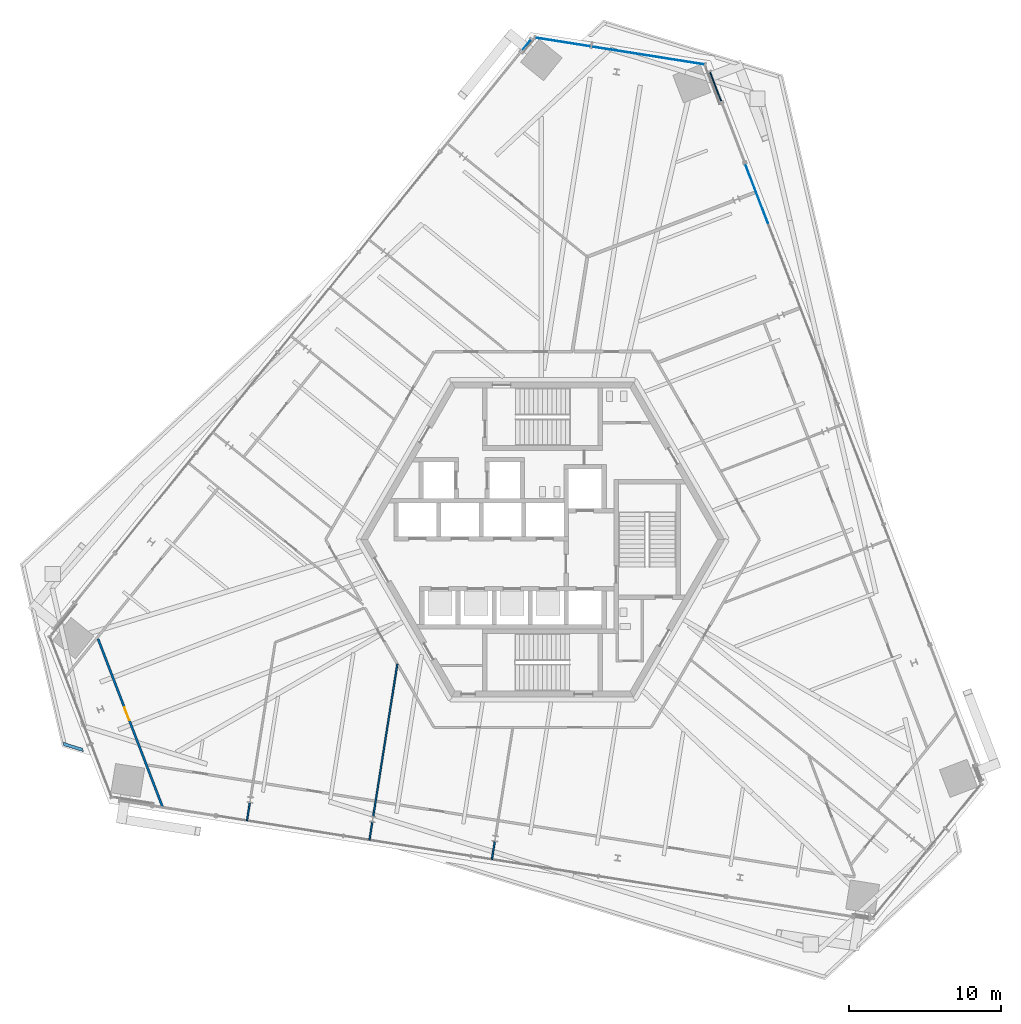
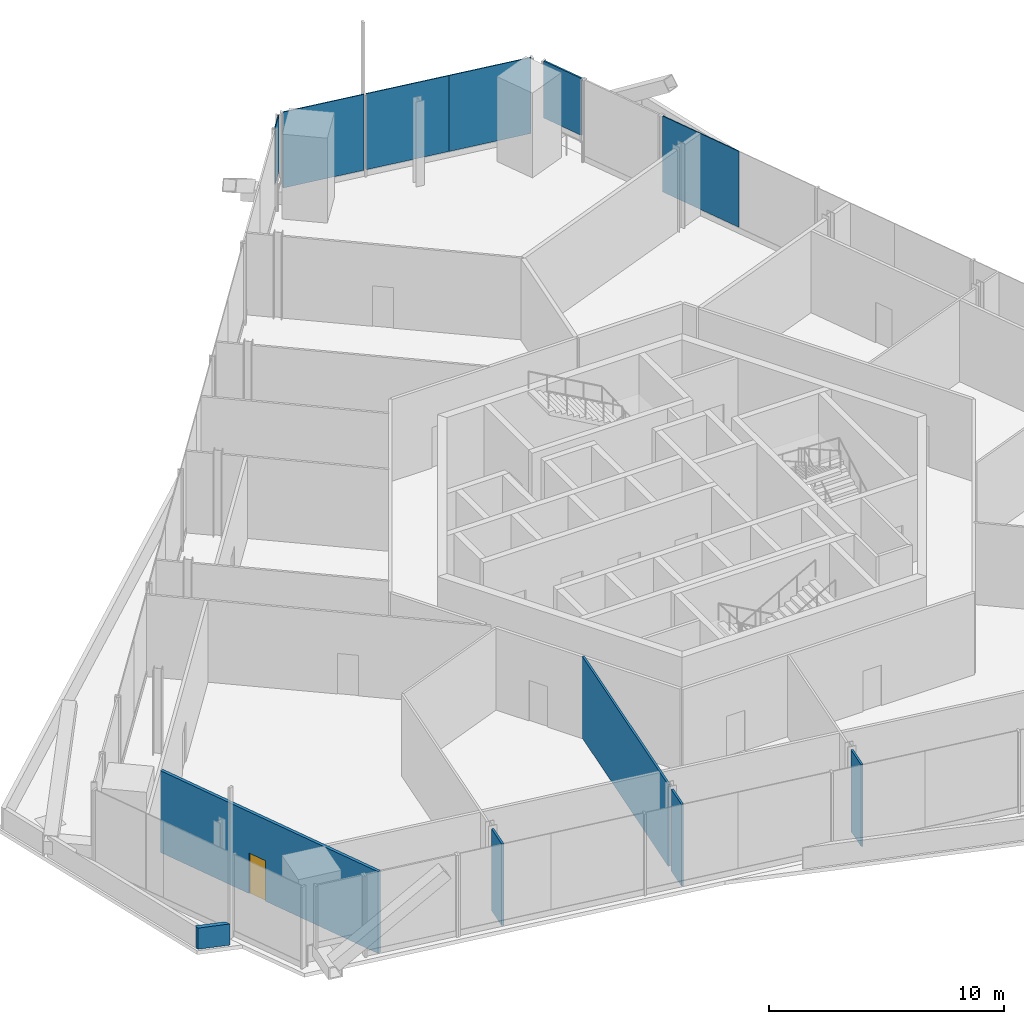
# One storey, part 12 of 22: 6 plates, 6 walls, 1 door, 1 opening, 4 elements without a shape of their own.
"""IFC4 building model written with IfcOpenShell, lengths in metres."""

from ifc_helpers import new_model, si_unit, direction, frame, frame_2d, origin, origin_2d, place, context, subcontext, project, spatial, polyline, rectangle, outline, extrude, source, transform, mapped, material, layer, layer_set, type_object, element, fill, aggregate, save


model = new_model("IFC4")

# Units and contexts
model_context = context("Model", 3, precision=1e-05, world=origin(), true_north=direction((0.0, 1.0)))
body_context = subcontext(model_context, "Body", "Model", "MODEL_VIEW")
ifc_project = project(units=[si_unit("LENGTHUNIT", "METRE"), si_unit("AREAUNIT", "SQUARE_METRE"), si_unit("VOLUMEUNIT", "CUBIC_METRE"), si_unit("PLANEANGLEUNIT", "RADIAN"), si_unit("MASSUNIT", "GRAM", prefix="KILO")], contexts=[model_context])

# Site, building, storey
site_placement = place(None, origin())
site = spatial("IfcSite", under=ifc_project, at=site_placement, CompositionType="ELEMENT")
building_placement = place(site_placement, origin())
building = spatial("IfcBuilding", under=site, at=building_placement, Name="Triune Harvest Tower", CompositionType="ELEMENT")
storey_placement = place(building_placement, frame((0.0, 0.0, 138.10009765625)))
storey = spatial("IfcBuildingStorey", under=building, at=storey_placement, Name="L35", CompositionType="ELEMENT", Elevation=138.10009765625)

# Curtain wall, plate
ifc_material_1 = material(Name="Aluminium bronze anodised", Category="aluminium")
curtain_wall_type_1 = type_object("IfcCurtainWallType", Name="CW-9 Sky lobby tall glazing wall with insulated spandrel infill", PredefinedType="NOTDEFINED", material=ifc_material_1)
curtain_wall_1_placement = place(storey_placement, origin())
curtain_wall_1 = element("IfcCurtainWall", 1, at=curtain_wall_1_placement, inside=storey, type_object=curtain_wall_type_1, Name="CW-9 B4-F1 L35 run 201")
ifc_material_2 = material(Name="Insulated spandrel panel, bronze aluminium pan", Category="aluminium")
ifc_layer_1 = layer(ifc_material_2, 0.080078125)
ifc_layer_set_1 = layer_set([ifc_layer_1], Name="Insulated spandrel panel, bronze aluminium pan")
plate_type_1 = type_object("IfcPlateType", Name="SP-1 insulated spandrel panel 80", PredefinedType="CURTAIN_PANEL", material=ifc_layer_set_1)
plate_1_placement = place(storey_placement, frame((11.40576171875, 29.864501953125, 1.284912109375), z_axis=(0.0, 0.0, 1.0), x_axis=(-0.358375856743, 0.93357739117, 0.0)))
plate_1 = element("IfcPlate", 2, at=plate_1_placement, type_object=plate_type_1, Name="CW-9 panel B4-F1 201.1", PredefinedType="CURTAIN_PANEL", context=body_context, shape_type="SweptSolid", body=[
    extrude(rectangle(XDim=2.05322265625, YDim=0.080078125, at=origin_2d()), origin(), (0.0, 0.0, 1.0), 2.955078125),
])
aggregate(curtain_wall_1, [plate_1])

ifc_material_3 = material(Name="Aluminium bronze anodised", Category="aluminium")
curtain_wall_type_2 = type_object("IfcCurtainWallType", Name="CW-4 Sky lobby tall glazing wall", PredefinedType="NOTDEFINED", material=ifc_material_3)
curtain_wall_2_placement = place(storey_placement, origin())
curtain_wall_2 = element("IfcCurtainWall", 3, at=curtain_wall_2_placement, inside=storey, type_object=curtain_wall_type_2, Name="CW-4 B4-F3 L35 run 1")
ifc_material_4 = material(Name="Glass", Category="glass")
ifc_layer_2 = layer(ifc_material_4, 0.0439453125)
ifc_layer_set_2 = layer_set([ifc_layer_2], Name="Glass")
plate_type_2 = type_object("IfcPlateType", Name="GL-4 panel 44", PredefinedType="CURTAIN_PANEL", material=ifc_layer_set_2)
shared_shape_1 = source(origin(), body_context, "Body", "SweptSolid", [
    extrude(rectangle(XDim=0.916748046875, YDim=0.0439453125, at=origin_2d()), origin(), (0.0, 0.0, 1.0), 2.955078125),
])
plate_2_placement = place(storey_placement, frame((-1.0556640625, 32.622802734375, 1.284912109375), z_axis=(0.0, 0.0, 1.0), x_axis=(-0.629342465334, -0.777128085535, 0.0)))
plate_2 = element("IfcPlate", 4, at=plate_2_placement, type_object=plate_type_2, Name="CW-4 panel B4-F3 1.1", PredefinedType="CURTAIN_PANEL", context=body_context, shape_type="MappedRepresentation", body=[
    mapped(shared_shape_1, transform((0.0, 0.0, 0.0), scale=1.0)),
])
aggregate(curtain_wall_2, [plate_2])

curtain_wall_3_placement = place(storey_placement, origin())
curtain_wall_3 = element("IfcCurtainWall", 5, at=curtain_wall_3_placement, inside=storey, type_object=curtain_wall_type_2, Name="CW-4 B4-F1 L35 run 1101")
shared_shape_2 = source(origin(), body_context, "Body", "SweptSolid", [
    extrude(rectangle(XDim=4.166015625, YDim=0.0439453125, at=origin_2d()), origin(), (0.0, 0.0, 1.0), 3.93994140625),
])
plate_3_placement = place(storey_placement, frame((14.10986328125, 22.820068359375, 0.300048828125), z_axis=(0.0, 0.0, 1.0), x_axis=(-0.358368900385, 0.933580061504, 0.0)))
plate_3 = element("IfcPlate", 6, at=plate_3_placement, type_object=plate_type_2, Name="CW-4 panel B4-F1 1101.8", PredefinedType="CURTAIN_PANEL", context=body_context, shape_type="MappedRepresentation", body=[
    mapped(shared_shape_2, transform((0.0, 0.0, 0.0), scale=1.0)),
])
aggregate(curtain_wall_3, [plate_3])

# Curtain wall, plates
curtain_wall_4_placement = place(storey_placement, origin())
curtain_wall_4 = element("IfcCurtainWall", 7, at=curtain_wall_4_placement, inside=storey, type_object=curtain_wall_type_2, Name="CW-4 B4-F2 L35 run 1")
shared_shape_3 = source(origin(), body_context, "Body", "SweptSolid", [
    extrude(rectangle(XDim=3.734619140625, YDim=0.0439453125, at=origin_2d()), origin(), (0.0, 0.0, 1.0), 3.93994140625),
])
plate_4_placement = place(storey_placement, frame((8.834228515625, 31.6162109375, 0.300048828125), z_axis=(0.0, 0.0, 1.0), x_axis=(-0.987688615663, 0.156432728322, 0.0)))
plate_4 = element("IfcPlate", 8, at=plate_4_placement, type_object=plate_type_2, Name="CW-4 panel B4-F2 1.1", PredefinedType="CURTAIN_PANEL", context=body_context, shape_type="MappedRepresentation", body=[
    mapped(shared_shape_3, transform((0.0, 0.0, 0.0), scale=1.0)),
])
shared_shape_4 = source(origin(), body_context, "Body", "SweptSolid", [
    extrude(rectangle(XDim=3.779541015625, YDim=0.0439453125, at=origin_2d()), origin(), (0.0, 0.0, 1.0), 3.93994140625),
])
plate_5_placement = place(storey_placement, frame((5.123291015625, 32.2041015625, 0.300048828125), z_axis=(0.0, 0.0, 1.0), x_axis=(-0.987688615663, 0.156432728322, 0.0)))
plate_5 = element("IfcPlate", 9, at=plate_5_placement, type_object=plate_type_2, Name="CW-4 panel B4-F2 1.2", PredefinedType="CURTAIN_PANEL", context=body_context, shape_type="MappedRepresentation", body=[
    mapped(shared_shape_4, transform((0.0, 0.0, 0.0), scale=1.0)),
])
shared_shape_5 = source(origin(), body_context, "Body", "SweptSolid", [
    extrude(rectangle(XDim=3.689453125, YDim=0.0439453125, at=origin_2d()), origin(), (0.0, 0.0, 1.0), 3.93994140625),
])
plate_6_placement = place(storey_placement, frame((1.345947265625, 32.80224609375, 0.300048828125), z_axis=(0.0, 0.0, 1.0), x_axis=(-0.987688615663, 0.156432728322, 0.0)))
plate_6 = element("IfcPlate", 10, at=plate_6_placement, type_object=plate_type_2, Name="CW-4 panel B4-F2 1.3", PredefinedType="CURTAIN_PANEL", context=body_context, shape_type="MappedRepresentation", body=[
    mapped(shared_shape_5, transform((0.0, 0.0, 0.0), scale=1.0)),
])
aggregate(curtain_wall_4, [plate_4, plate_5, plate_6])

# Wall, opening, door
ifc_material_5 = material(Name="Gypsum board on steel studs", Category="steel")
ifc_layer_3 = layer(ifc_material_5, 0.14990234375)
ifc_layer_set_3 = layer_set([ifc_layer_3], Name="Gypsum board on steel studs")
wall_type_1 = type_object("IfcWallType", Name="Fire Partition 150 mm", PredefinedType="PARTITIONING", material=ifc_layer_set_3)
wall_1_placement = place(storey_placement, frame((-29.30859375, -6.54931640625, 0.0), z_axis=(0.0, 0.0, 1.0), x_axis=(0.358365335259, -0.933581430024, 0.0)))
wall_1 = element("IfcWall", 11, at=wall_1_placement, inside=storey, type_object=wall_type_1, Name="Partition L35 001", PredefinedType="PARTITIONING", context=body_context, shape_type="SweptSolid", body=[
    extrude(rectangle(XDim=11.89013671875, YDim=0.14990234375, at=frame_2d((5.945068359375, 0.0))), origin(), (0.0, 0.0, 1.0), 4.239990234375),
])
opening_placement = place(wall_1_placement, frame((4.840087890625, 0.0, 0.0)))
opening = element("IfcOpeningElement", 12, at=opening_placement, cuts=wall_1, Name="Opening L35-016", PredefinedType="OPENING", context=body_context, shape_type="SweptSolid", body=[
    extrude(rectangle(XDim=0.89990234375, YDim=2.10009765625, at=frame_2d((0.449951171875, 1.050048828125))), frame((0.0, 0.0849609375, 0.0), z_axis=(0.0, -1.0, 0.0), x_axis=(1.0, 0.0, 0.0)), (0.0, 0.0, 1.0), 0.169921875),
])
ifc_material_6 = material(Name="Timber and steel door set", Category="steel")
door_type = type_object("IfcDoorType", Name="Single leaf door FD30 right hand 900 x 2100", OperationType="SINGLE_SWING_RIGHT", PredefinedType="DOOR", material=ifc_material_6)
door_placement = place(opening_placement, origin())
door = element("IfcDoor", 13, at=door_placement, inside=storey, type_object=door_type, Name="Door L35-016 Dry Store Room 35.16", OperationType="SINGLE_SWING_RIGHT", OverallHeight=2.10009765625, OverallWidth=0.89990234375, PredefinedType="DOOR", context=body_context, shape_type="SweptSolid", body=[
    extrude(rectangle(XDim=0.89990234375, YDim=2.10009765625, at=frame_2d((0.449951171875, 1.050048828125))), frame((0.0, 0.02490234375, 0.0), z_axis=(0.0, -1.0, 0.0), x_axis=(1.0, 0.0, 0.0)), (0.0, 0.0, 1.0), 0.050048828125),
])
fill(opening, door)

# Walls
ifc_material_7 = material(Name="Concrete 40 MPa", Category="concrete")
ifc_layer_4 = layer(ifc_material_7, 0.199951171875)
ifc_layer_set_4 = layer_set([ifc_layer_4], Name="Concrete 40 MPa")
wall_type_2 = type_object("IfcWallType", Name="PA-1 parapet 200", PredefinedType="PARAPET", material=ifc_layer_set_4)
wall_2_placement = place(storey_placement, origin())
element("IfcWall", 14, at=wall_2_placement, inside=storey, type_object=wall_type_2, Name="Parapet wedge L34 3.1", PredefinedType="PARAPET", context=body_context, shape_type="SweptSolid", body=[
    extrude(outline(polyline([(-31.423095703125, -13.402587890625), (-31.41796875, -13.425048828125), (-30.345947265625, -13.7529296875), (-30.2548828125, -13.98974609375), (-31.5869140625, -13.58251953125), (-31.61279296875, -13.47021484375), (-31.577880859375, -13.35546875), (-31.423095703125, -13.402587890625)])), origin(), (0.0, 0.0, 1.0), 1.099853515625),
])
ifc_material_8 = material(Name="Gypsum board on steel studs", Category="steel")
ifc_layer_5 = layer(ifc_material_8, 0.10009765625)
ifc_layer_set_5 = layer_set([ifc_layer_5], Name="Gypsum board on steel studs")
wall_type_3 = type_object("IfcWallType", Name="Partition 100 mm", PredefinedType="PARTITIONING", material=ifc_layer_set_5)
shared_shape_6 = source(origin(), body_context, "Body", "SweptSolid", [
    extrude(rectangle(XDim=1.212158203125, YDim=0.10009765625, at=frame_2d((0.60595703125, 0.0))), origin(), (0.0, 0.0, 1.0), 4.239990234375),
])
wall_3_placement = place(storey_placement, frame((-3.340087890625, -21.087890625, 0.0), z_axis=(0.0, 0.0, 1.0), x_axis=(0.156490008952, 0.987679541703, 0.0)))
element("IfcWall", 15, at=wall_3_placement, inside=storey, type_object=wall_type_3, Name="Partition L35 040", PredefinedType="PARTITIONING", context=body_context, shape_type="MappedRepresentation", body=[
    mapped(shared_shape_6, transform((0.0, 0.0, 0.0), scale=1.0)),
])
shared_shape_7 = source(origin(), body_context, "Body", "SweptSolid", [
    extrude(rectangle(XDim=1.2119140625, YDim=0.10009765625, at=frame_2d((0.60595703125, 0.0))), origin(), (0.0, 0.0, 1.0), 4.239990234375),
])
for number, where, z_axis, x_axis, name in (
    (16, (-11.414306640625, -19.808837890625, 0.0), (0.0, 0.0, 1.0), (0.15652114429, 0.987674608052, 0.0), "Partition L35 043"),
    (17, (-19.48876953125, -18.530029296875, 0.0), (0.0, 0.0, 1.0), (0.15652114429, 0.987674608052, 0.0), "Partition L35 045"),
):
    element("IfcWall", number, at=place(storey_placement, frame(where, z_axis=z_axis, x_axis=x_axis)), inside=storey, type_object=wall_type_3, Name=name, PredefinedType="PARTITIONING", context=body_context, shape_type="MappedRepresentation", body=[
        mapped(shared_shape_7, transform((0.0, 0.0, 0.0), scale=1.0)),
    ])
shared_shape_8 = source(origin(), body_context, "Body", "SweptSolid", [
    extrude(rectangle(XDim=10.18896484375, YDim=0.10009765625, at=frame_2d((5.094482421875, 0.0))), origin(), (0.0, 0.0, 1.0), 4.239990234375),
])
wall_4_placement = place(storey_placement, frame((-11.16943359375, -18.2626953125, 0.0), z_axis=(0.0, 0.0, 1.0), x_axis=(0.156420285006, 0.987690586388, 0.0)))
element("IfcWall", 18, at=wall_4_placement, inside=storey, type_object=wall_type_3, Name="Partition L35 044", PredefinedType="PARTITIONING", context=body_context, shape_type="MappedRepresentation", body=[
    mapped(shared_shape_8, transform((0.0, 0.0, 0.0), scale=1.0)),
])

save(model, "model.ifc")
